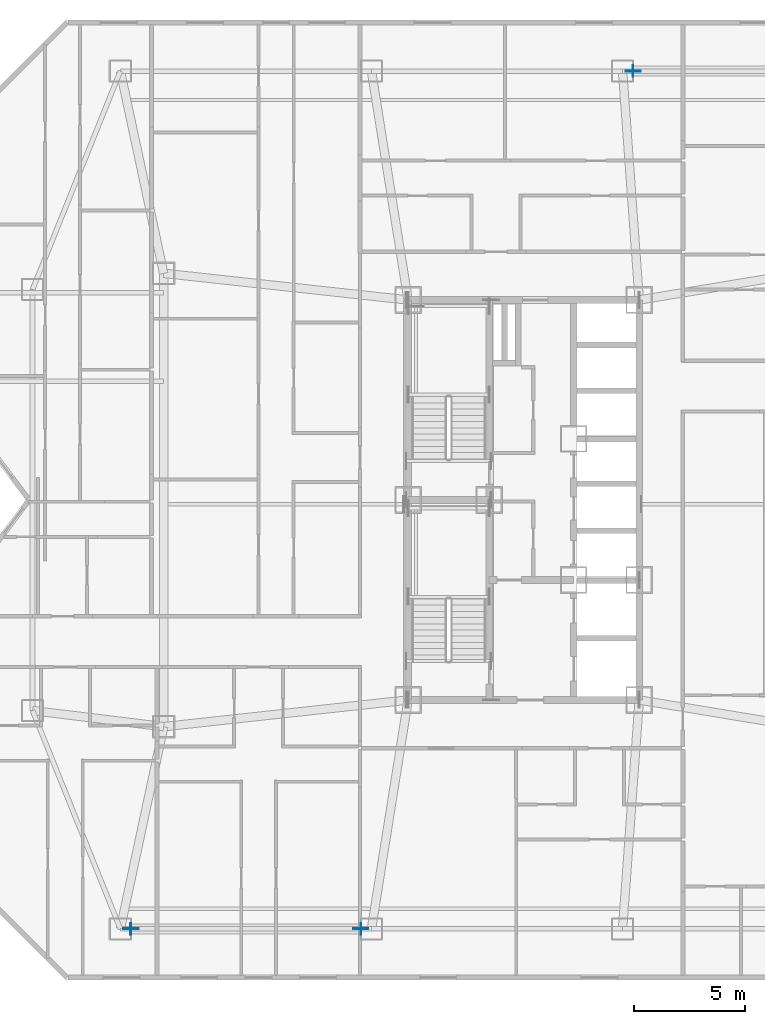
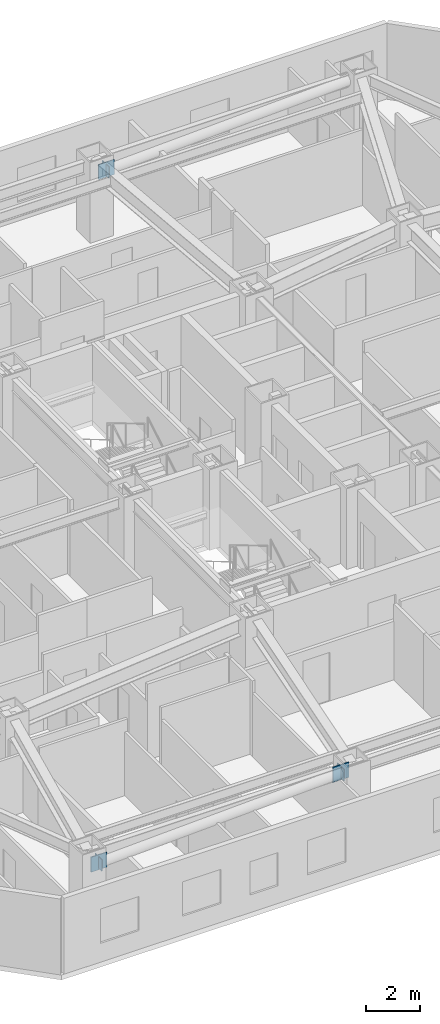
# One storey, part 12 of 21: 6 plates.
"""IFC4 building model written with IfcOpenShell, lengths in metres."""

import ifcopenshell
import ifcopenshell.guid

model = None  # the IFC model being written
_history = None  # IfcOwnerHistory: only IFC2X3 demands one
_inside = {}  # id of a spatial element -> (the spatial element, [elements in it])
_under = {}  # id of a project, library or spatial element -> (it, [spatial elements below it])
_declared = {}  # id of a project -> (the project, [libraries it declares])
_typed = {}  # id of a type object -> (the type object, [elements of that type])
_made_of = {}  # id of a material, layer set ... -> (it, [elements and type objects made of it])


def new_model(schema):
    """Start an empty IFC model of exactly this schema.

    Asked for "IFC4X3", IfcOpenShell would pick the latest addendum, in which some entities
    have other attributes; the version numbers below select the first issue.
    IFC2X3 requires an IfcOwnerHistory on every rooted entity: one is made here for all.
    """
    global model, _history
    if schema == "IFC4X3":
        model = ifcopenshell.file(schema_version=(4, 3, 0, 0))
    else:
        model = ifcopenshell.file(schema=schema)
    _inside.clear()
    _under.clear()
    _declared.clear()
    _typed.clear()
    _made_of.clear()
    _history = None
    if model.schema == "IFC2X3":
        org = make("IfcOrganization", Name="unknown")
        user = make(
            "IfcPersonAndOrganization",
            ThePerson=make("IfcPerson", FamilyName="unknown"),
            TheOrganization=org,
        )
        app = make(
            "IfcApplication",
            ApplicationDeveloper=org,
            Version="unknown",
            ApplicationFullName="unknown",
            ApplicationIdentifier="unknown",
        )
        _history = make(
            "IfcOwnerHistory",
            OwningUser=user,
            OwningApplication=app,
            ChangeAction="ADDED",
            CreationDate=0,
        )
    return model


def make(cls, **values):
    """One entity of the class cls with the attributes given. An attribute that is None is left unset."""
    return model.create_entity(
        cls, **{name: value for name, value in values.items() if value is not None}
    )


def rooted(cls, **values):
    """An entity with a GlobalId (a new one), such as an element, a storey or a relation."""
    return make(cls, GlobalId=ifcopenshell.guid.new(), OwnerHistory=_history, **values)


def si_unit(unit_type, name, prefix=None):
    """IfcSIUnit, for example si_unit("LENGTHUNIT", "METRE", prefix="MILLI")."""
    return make("IfcSIUnit", UnitType=unit_type, Prefix=prefix, Name=name)


def assignment(units):
    """IfcUnitAssignment: the units of a project."""
    return None if units is None else make("IfcUnitAssignment", Units=units)


def point(xyz):
    """IfcCartesianPoint."""
    return None if xyz is None else make("IfcCartesianPoint", Coordinates=xyz)


def direction(xyz):
    """IfcDirection."""
    return None if xyz is None else make("IfcDirection", DirectionRatios=xyz)


def frame(location, z_axis=None, x_axis=None):
    """IfcAxis2Placement3D, a coordinate frame: its origin and axes. An axis left out is left unset."""
    return make(
        "IfcAxis2Placement3D",
        Location=point(location),
        Axis=direction(z_axis),
        RefDirection=direction(x_axis),
    )


def frame_2d(location, x_axis=None):
    """IfcAxis2Placement2D, a coordinate frame in the plane: its origin and x axis."""
    return make(
        "IfcAxis2Placement2D", Location=point(location), RefDirection=direction(x_axis)
    )


def origin():
    """The frame at (0, 0, 0) with its axes left unset."""
    return frame((0.0, 0.0, 0.0))


def origin_2d():
    """The frame at (0, 0) in the plane with its x axis left unset."""
    return frame_2d((0.0, 0.0))


def place(relative_to, where):
    """IfcLocalPlacement: puts the frame where relative to a parent placement (None: the world)."""
    return make(
        "IfcLocalPlacement", PlacementRelTo=relative_to, RelativePlacement=where
    )


def context(
    kind, dimensions, precision=None, world=None, true_north=None, identifier=None
):
    """IfcGeometricRepresentationContext, for example the 3D "Model" context."""
    return make(
        "IfcGeometricRepresentationContext",
        ContextIdentifier=identifier,
        ContextType=kind,
        CoordinateSpaceDimension=dimensions,
        Precision=precision,
        WorldCoordinateSystem=world,
        TrueNorth=true_north,
    )


def subcontext(parent, identifier, kind, view, scale=None):
    """IfcGeometricRepresentationSubContext, for example "Body" below "Model"."""
    return make(
        "IfcGeometricRepresentationSubContext",
        ContextIdentifier=identifier,
        ContextType=kind,
        ParentContext=parent,
        TargetScale=scale,
        TargetView=view,
    )


def project(units=None, contexts=None):
    """IfcProject with its units and contexts."""
    return rooted(
        "IfcProject",
        Name="project",
        RepresentationContexts=contexts,
        UnitsInContext=assignment(units),
    )


def spatial(cls, under=None, at=None, **own):
    """A site, building, storey or space (cls), placed at a placement, below another one or the project."""
    s = rooted(cls, ObjectPlacement=at, **own)
    if under is not None:
        _under.setdefault(under.id(), (under, []))[1].append(s)
    return s


def profile(cls, at=None, kind="AREA", **sizes):
    """A parametric profile (cls). Its sizes go by their IFC names, for example OverallWidth=200.0."""
    return make(cls, ProfileType=kind, Position=at, **sizes)


def rectangle(**sizes):
    """IfcRectangleProfileDef."""
    return profile("IfcRectangleProfileDef", **sizes)


def extrude(swept, where, along, depth):
    """IfcExtrudedAreaSolid: the profile swept, set in the frame where, extruded along a direction by depth."""
    return make(
        "IfcExtrudedAreaSolid",
        SweptArea=swept,
        Position=where,
        ExtrudedDirection=direction(along),
        Depth=depth,
    )


def shape(context_of_items, identifier, shape_type, items):
    """IfcShapeRepresentation: the items that make up one representation, for example the "Body"."""
    return make(
        "IfcShapeRepresentation",
        ContextOfItems=context_of_items,
        RepresentationIdentifier=identifier,
        RepresentationType=shape_type,
        Items=items,
    )


def material(Name=None, Category=None):
    """IfcMaterial."""
    return make("IfcMaterial", Name=Name, Category=Category)


def layer(
    of_material, thickness, ventilated=None, Name=None, Category=None, Priority=None
):
    """IfcMaterialLayer: one layer of a wall or slab, of a material (None: an air gap)."""
    return make(
        "IfcMaterialLayer",
        Material=of_material,
        LayerThickness=thickness,
        IsVentilated=ventilated,
        Name=Name,
        Category=Category,
        Priority=Priority,
    )


def layer_set(layers, Name=None):
    """IfcMaterialLayerSet."""
    return make("IfcMaterialLayerSet", MaterialLayers=layers, LayerSetName=Name)


def made_of(thing, what):
    """Note that an element or type object is made of a material, layer set ...; save() writes the relation."""
    if what is not None:
        _made_of.setdefault(what.id(), (what, []))[1].append(thing)
    return thing


def type_object(cls, material=None, **own):
    """A type object (cls), such as IfcWallType, which elements share."""
    return made_of(rooted(cls, **own), material)


def element(
    cls,
    number,
    at=None,
    inside=None,
    cuts=None,
    type_object=None,
    material=None,
    context=None,
    identifier="Body",
    shape_type=None,
    held_by="IfcProductDefinitionShape",
    body=None,
    shapes=None,
    **own,
):
    """One element of the class cls, such as IfcWall. Its Tag is "e" and its number.

    at: its placement. inside: the storey or other place that contains it. cuts: it is an
    opening in that element (IfcRelVoidsElement). A single representation is given by context,
    identifier, shape_type and body (its items); several are given by shapes. held_by: the class
    of the entity that holds the representations. save() writes the other relations.
    """
    e = rooted(cls, Tag="e%d" % number, ObjectPlacement=at, **own)
    if body is not None:
        shapes = [shape(context, identifier, shape_type, body)]
    if shapes is not None:
        e.Representation = make(held_by, Representations=shapes)
    if inside is not None:
        _inside.setdefault(inside.id(), (inside, []))[1].append(e)
    if cuts is not None:
        rooted(
            "IfcRelVoidsElement", RelatingBuildingElement=cuts, RelatedOpeningElement=e
        )
    if type_object is not None:
        _typed.setdefault(type_object.id(), (type_object, []))[1].append(e)
    return made_of(e, material)


def aggregate(whole, parts):
    """IfcRelAggregates: a whole, such as a stair, and the parts it consists of."""
    return rooted("IfcRelAggregates", RelatingObject=whole, RelatedObjects=parts)


def save(model, path):
    """Write the relations noted so far, then the file.

    IfcRelAggregates (storeys below a building ...), IfcRelContainedInSpatialStructure (elements
    in a storey), IfcRelDefinesByType, IfcRelAssociatesMaterial and IfcRelDeclares: one each for
    every whole, place, type object, material and project.
    """
    for whole, parts in _under.values():
        aggregate(whole, parts)
    for where, things in _inside.values():
        rooted(
            "IfcRelContainedInSpatialStructure",
            RelatedElements=things,
            RelatingStructure=where,
        )
    for kind, things in _typed.values():
        rooted("IfcRelDefinesByType", RelatedObjects=things, RelatingType=kind)
    for what, things in _made_of.values():
        rooted("IfcRelAssociatesMaterial", RelatedObjects=things, RelatingMaterial=what)
    for by, libraries in _declared.values():
        rooted("IfcRelDeclares", RelatingContext=by, RelatedDefinitions=libraries)
    model.write(path)


model = new_model("IFC4")

# Units and contexts
model_context = context("Model", 3, precision=1e-05, world=origin(), true_north=direction((0.0, 1.0)))
body_context = subcontext(model_context, "Body", "Model", "MODEL_VIEW")
ifc_project = project(units=[si_unit("LENGTHUNIT", "METRE"), si_unit("AREAUNIT", "SQUARE_METRE"), si_unit("VOLUMEUNIT", "CUBIC_METRE"), si_unit("PLANEANGLEUNIT", "RADIAN"), si_unit("MASSUNIT", "GRAM", prefix="KILO")], contexts=[model_context])

# Site, building, storey
site_placement = place(None, origin())
site = spatial("IfcSite", under=ifc_project, at=site_placement, CompositionType="ELEMENT")
building_placement = place(site_placement, origin())
building = spatial("IfcBuilding", under=site, at=building_placement, Name="Khamvora Tower", CompositionType="ELEMENT")
storey_placement = place(building_placement, frame((0.0, 0.0, 98.25)))
storey = spatial("IfcBuildingStorey", under=building, at=storey_placement, Name="L24", CompositionType="ELEMENT", Elevation=98.25)

# Plates
ifc_material_1 = material(Name="Steel S355", Category="steel")
ifc_layer_1 = layer(ifc_material_1, 0.02490234375)
ifc_layer_set_1 = layer_set([ifc_layer_1], Name="Steel S355")
plate_type_1 = type_object("IfcPlateType", Name="PL-CAP-25", PredefinedType="SHEET", material=ifc_layer_set_1)
for number, where, z_axis, x_axis, name in (
    (1, (16.51806640625, 8.699951171875, 2.4404296875), (0.0, 0.0, 1.0), (1.0, 0.0, 0.0), "L24 hollow section steel end cap plate 0740"),
    (2, (26.882080078125, 8.699951171875, 2.884521484375), (0.0, 0.0, 1.0), (1.0, 0.0, 0.0), "L24 hollow section steel end cap plate 0741"),
    (3, (39.117919921875, 47.300048828125, 2.4404296875), (0.0, 0.0, 1.0), (1.0, 0.0, 0.0), "L24 hollow section steel end cap plate 0742"),
):
    element("IfcPlate", number, at=place(storey_placement, frame(where, z_axis=z_axis, x_axis=x_axis)), inside=storey, type_object=plate_type_1, Name=name, PredefinedType="SHEET", context=body_context, shape_type="SweptSolid", body=[
        extrude(rectangle(XDim=0.02490234375, YDim=0.51708984375, at=origin_2d()), origin(), (0.0, 0.0, 1.0), 0.51708984375),
    ])
ifc_material_2 = material(Name="Steel S460", Category="steel")
ifc_layer_2 = layer(ifc_material_2, 0.0400390625)
ifc_layer_set_2 = layer_set([ifc_layer_2], Name="Steel S460")
plate_type_2 = type_object("IfcPlateType", Name="PLT-GUS-40", PredefinedType="SHEET", material=ifc_layer_set_2)
for number, where, z_axis, x_axis, name in (
    (4, (16.530029296875, 8.699951171875, 2.35986328125), (0.0, 0.0, 1.0), (1.0, 0.0, 0.0), "L24 brace connection node gusset plate 0173"),
    (5, (26.8701171875, 8.699951171875, 2.80224609375), (0.0, 0.0, 1.0), (1.0, 0.0, 0.0), "L24 brace connection node gusset plate 0174"),
    (6, (39.1298828125, 47.300048828125, 2.35986328125), (0.0, 0.0, 1.0), (1.0, 0.0, 0.0), "L24 brace connection node gusset plate 0175"),
):
    element("IfcPlate", number, at=place(storey_placement, frame(where, z_axis=z_axis, x_axis=x_axis)), inside=storey, type_object=plate_type_2, Name=name, PredefinedType="SHEET", context=body_context, shape_type="SweptSolid", body=[
        extrude(rectangle(XDim=0.679931640625, YDim=0.0400390625, at=origin_2d()), origin(), (0.0, 0.0, 1.0), 0.679931640625),
    ])

save(model, "model.ifc")
